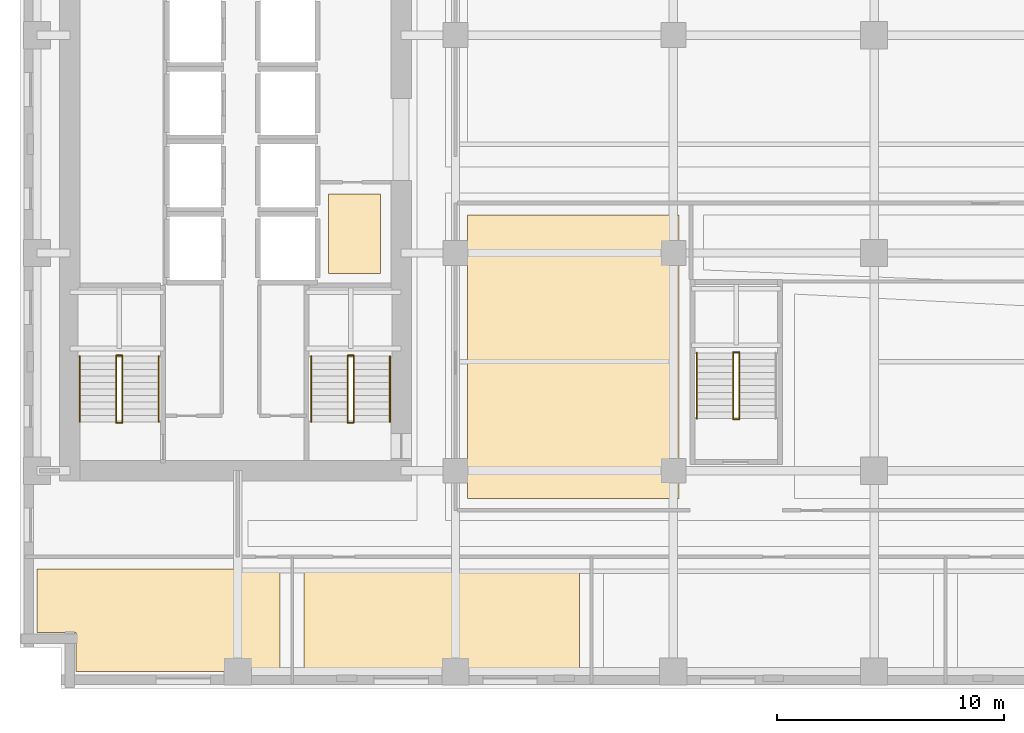
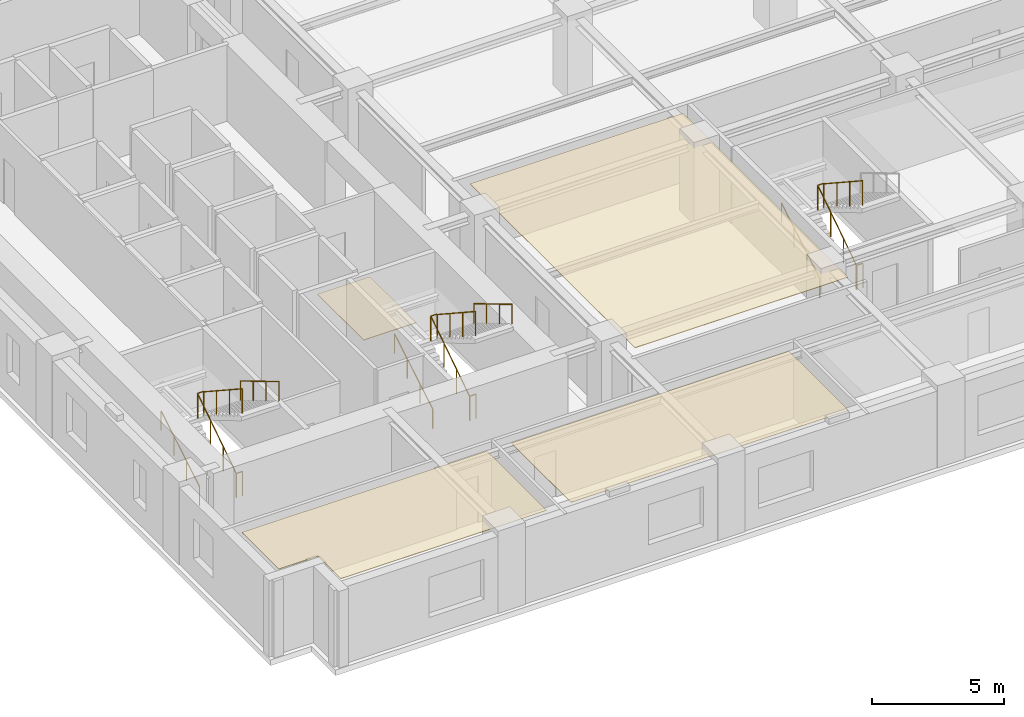
# One storey, part 9 of 13: 17 railings, 4 coverings.
"""IFC4 building model written with IfcOpenShell, lengths in metres."""

from ifc_helpers import new_model, si_unit, direction, frame, origin, origin_2d, place, context, subcontext, project, spatial, polyline, circle, outline, extrude, material, layer, layer_set, type_object, element, save


model = new_model("IFC4")

# Units and contexts
model_context = context("Model", 3, precision=1e-05, world=origin(), true_north=direction((0.0, 1.0)))
body_context = subcontext(model_context, "Body", "Model", "MODEL_VIEW")
ifc_project = project(units=[si_unit("LENGTHUNIT", "METRE"), si_unit("AREAUNIT", "SQUARE_METRE"), si_unit("VOLUMEUNIT", "CUBIC_METRE"), si_unit("PLANEANGLEUNIT", "RADIAN"), si_unit("MASSUNIT", "GRAM", prefix="KILO")], contexts=[model_context])

# Site, building, storey
site_placement = place(None, origin())
site = spatial("IfcSite", under=ifc_project, at=site_placement, CompositionType="ELEMENT")
building_placement = place(site_placement, origin())
building = spatial("IfcBuilding", under=site, at=building_placement, Name="Norrvale University Quadrangle", CompositionType="ELEMENT")
storey_placement = place(building_placement, frame((0.0, 0.0, 43.199951171875)))
storey = spatial("IfcBuildingStorey", under=building, at=storey_placement, Name="L10", CompositionType="ELEMENT", Elevation=43.199951171875)

# Coverings
ifc_material_1 = material(Name="Perforated Acoustic Mineral Ceiling")
ifc_layer_1 = layer(ifc_material_1, 0.02490234375, Name="Perforated Acoustic Mineral Ceiling")
ifc_layer_set_1 = layer_set([ifc_layer_1], Name="Perforated Acoustic Mineral Ceiling")
covering_type_1 = type_object("IfcCoveringType", Name="Covering Acoustic Ceiling 25", PredefinedType="CEILING", material=ifc_layer_set_1)
covering_1_placement = place(storey_placement, frame((0.0, 0.0, 3.51513671875)))
element("IfcCovering", 1, at=covering_1_placement, inside=storey, type_object=covering_type_1, Name="Acoustic Ceiling RM-L10-S01", PredefinedType="CEILING", context=body_context, shape_type="SweptSolid", body=[
    extrude(outline(polyline([(0.75, 5.27001953125), (11.469970703125, 5.27001953125), (11.469970703125, 0.75), (2.469970703125, 0.75), (2.469970703125, 2.469970703125), (0.75, 2.469970703125), (0.75, 5.27001953125)])), origin(), (0.0, 0.0, 1.0), 0.02490234375),
])
covering_2_placement = place(storey_placement, frame((0.0, 0.0, 3.51513671875)))
element("IfcCovering", 2, at=covering_2_placement, inside=storey, type_object=covering_type_1, Name="Acoustic Ceiling RM-L10-S02", PredefinedType="CEILING", context=body_context, shape_type="SweptSolid", body=[
    extrude(outline(polyline([(12.530029296875, 5.27001953125), (24.669921875, 5.27001953125), (24.669921875, 0.75), (12.530029296875, 0.75), (12.530029296875, 5.27001953125)])), origin(), (0.0, 0.0, 1.0), 0.02490234375),
])
covering_3_placement = place(storey_placement, frame((0.0, 0.0, 3.51513671875)))
element("IfcCovering", 3, at=covering_3_placement, inside=storey, type_object=covering_type_1, Name="Acoustic Ceiling RM-L10-IW1", PredefinedType="CEILING", context=body_context, shape_type="SweptSolid", body=[
    extrude(outline(polyline([(19.72998046875, 8.3798828125), (19.72998046875, 20.8701171875), (29.050048828125, 20.8701171875), (29.050048828125, 8.3798828125), (19.72998046875, 8.3798828125)])), origin(), (0.0, 0.0, 1.0), 0.02490234375),
])
ifc_material_2 = material(Name="Polished Terrazzo Flooring")
ifc_layer_2 = layer(ifc_material_2, 0.02490234375, Name="Polished Terrazzo Flooring")
ifc_layer_set_2 = layer_set([ifc_layer_2], Name="Polished Terrazzo Flooring")
covering_type_2 = type_object("IfcCoveringType", Name="Covering Terrazzo Floor 30", PredefinedType="FLOORING", material=ifc_layer_set_2)
covering_4_placement = place(storey_placement, origin())
element("IfcCovering", 4, at=covering_4_placement, inside=storey, type_object=covering_type_2, Name="Terrazzo Flooring RM-L10-JAN", PredefinedType="FLOORING", context=body_context, shape_type="SweptSolid", body=[
    extrude(outline(polyline([(13.60009765625, 18.300048828125), (13.60009765625, 21.800048828125), (15.89990234375, 21.800048828125), (15.89990234375, 18.300048828125), (13.60009765625, 18.300048828125)])), origin(), (0.0, 0.0, 1.0), 0.025146484375),
])

# Railings
ifc_material_3 = material(Name="Steel 350W Painted Balustrade", Category="steel")
railing_type_1 = type_object("IfcRailingType", Name="Railing Stair Guard 1100", PredefinedType="GUARDRAIL", material=ifc_material_3)
for number, where, name in (
    (5, (4.239990234375, 11.719970703125, 0.0), "Stair Floor Well Guard ST-01 L10"),
    (6, (4.239990234375, 14.679931640625, 1.900146484375), "Stair Mid-Landing Slot Guard ST-01 L10"),
):
    element("IfcRailing", number, at=place(storey_placement, frame(where)), inside=storey, type_object=railing_type_1, Name=name, PredefinedType="GUARDRAIL", context=body_context, shape_type="SweptSolid", body=[
        extrude(circle(Radius=0.02392578125, at=origin_2d()), frame((0.0, 0.0, 1.1259765625), z_axis=(1.0, 0.0, 0.0), x_axis=(0.0, 1.0, 0.0)), (0.0, 0.0, 1.0), 0.27001953125),
        extrude(circle(Radius=0.02099609375, at=origin_2d()), origin(), (0.0, 0.0, 1.0), 1.101806640625),
        extrude(circle(Radius=0.02099609375, at=origin_2d()), frame((0.27001953125, 0.0, 0.0)), (0.0, 0.0, 1.0), 1.101806640625),
    ])
railing_1_placement = place(storey_placement, frame((4.239990234375, 11.75, 0.0)))
element("IfcRailing", 7, at=railing_1_placement, inside=storey, type_object=railing_type_1, Name="Stair Lower Flight Inner Guard ST-01 L10", PredefinedType="GUARDRAIL", context=body_context, shape_type="SweptSolid", body=[
    extrude(circle(Radius=0.02392578125, at=origin_2d()), frame((0.0, 0.0, 1.1259765625), z_axis=(0.0, 0.836433300813, 0.548068730445), x_axis=(-1.0, 0.0, 0.0)), (0.0, 0.0, 1.0), 3.467041015625),
    extrude(circle(Radius=0.02099609375, at=origin_2d()), origin(), (0.0, 0.0, 1.0), 1.101806640625),
    extrude(circle(Radius=0.02099609375, at=origin_2d()), frame((0.0, 0.966552734375, 0.63330078125)), (0.0, 0.0, 1.0), 1.101806640625),
    extrude(circle(Radius=0.02099609375, at=origin_2d()), frame((0.0, 1.933349609375, 1.266845703125)), (0.0, 0.0, 1.0), 1.101806640625),
    extrude(circle(Radius=0.02099609375, at=origin_2d()), frame((0.0, 2.89990234375, 1.900146484375)), (0.0, 0.0, 1.0), 1.101806640625),
])
railing_2_placement = place(storey_placement, frame((4.510009765625, 14.64990234375, 1.900146484375)))
element("IfcRailing", 8, at=railing_2_placement, inside=storey, type_object=railing_type_1, Name="Stair Upper Flight Inner Guard ST-01 L10", PredefinedType="GUARDRAIL", context=body_context, shape_type="SweptSolid", body=[
    extrude(circle(Radius=0.02392578125, at=origin_2d()), frame((0.0, 0.0, 1.1259765625), z_axis=(0.0, -0.836465582154, 0.548019461216), x_axis=(1.0, 0.0, 0.0)), (0.0, 0.0, 1.0), 3.466796875),
    extrude(circle(Radius=0.02099609375, at=origin_2d()), origin(), (0.0, 0.0, 1.0), 1.101806640625),
    extrude(circle(Radius=0.02099609375, at=origin_2d()), frame((0.0, -0.966552734375, 0.63330078125)), (0.0, 0.0, 1.0), 1.101806640625),
    extrude(circle(Radius=0.02099609375, at=origin_2d()), frame((0.0, -1.933349609375, 1.2666015625)), (0.0, 0.0, 1.0), 1.101806640625),
    extrude(circle(Radius=0.02099609375, at=origin_2d()), frame((0.0, -2.89990234375, 1.89990234375)), (0.0, 0.0, 1.0), 1.101806640625),
])
for number, where, name in (
    (9, (14.43994140625, 11.719970703125, 0.0), "Stair Floor Well Guard ST-03 L10"),
    (10, (14.43994140625, 14.679931640625, 1.900146484375), "Stair Mid-Landing Slot Guard ST-03 L10"),
):
    element("IfcRailing", number, at=place(storey_placement, frame(where)), inside=storey, type_object=railing_type_1, Name=name, PredefinedType="GUARDRAIL", context=body_context, shape_type="SweptSolid", body=[
        extrude(circle(Radius=0.02392578125, at=origin_2d()), frame((0.0, 0.0, 1.1259765625), z_axis=(1.0, 0.0, 0.0), x_axis=(0.0, 1.0, 0.0)), (0.0, 0.0, 1.0), 0.27001953125),
        extrude(circle(Radius=0.02099609375, at=origin_2d()), origin(), (0.0, 0.0, 1.0), 1.101806640625),
        extrude(circle(Radius=0.02099609375, at=origin_2d()), frame((0.27001953125, 0.0, 0.0)), (0.0, 0.0, 1.0), 1.101806640625),
    ])
railing_3_placement = place(storey_placement, frame((14.43994140625, 11.75, 0.0)))
element("IfcRailing", 11, at=railing_3_placement, inside=storey, type_object=railing_type_1, Name="Stair Lower Flight Inner Guard ST-03 L10", PredefinedType="GUARDRAIL", context=body_context, shape_type="SweptSolid", body=[
    extrude(circle(Radius=0.02392578125, at=origin_2d()), frame((0.0, 0.0, 1.1259765625), z_axis=(0.0, 0.836433300813, 0.548068730445), x_axis=(-1.0, 0.0, 0.0)), (0.0, 0.0, 1.0), 3.467041015625),
    extrude(circle(Radius=0.02099609375, at=origin_2d()), origin(), (0.0, 0.0, 1.0), 1.101806640625),
    extrude(circle(Radius=0.02099609375, at=origin_2d()), frame((0.0, 0.966552734375, 0.63330078125)), (0.0, 0.0, 1.0), 1.101806640625),
    extrude(circle(Radius=0.02099609375, at=origin_2d()), frame((0.0, 1.933349609375, 1.266845703125)), (0.0, 0.0, 1.0), 1.101806640625),
    extrude(circle(Radius=0.02099609375, at=origin_2d()), frame((0.0, 2.89990234375, 1.900146484375)), (0.0, 0.0, 1.0), 1.101806640625),
])
railing_4_placement = place(storey_placement, frame((14.7099609375, 14.64990234375, 1.900146484375)))
element("IfcRailing", 12, at=railing_4_placement, inside=storey, type_object=railing_type_1, Name="Stair Upper Flight Inner Guard ST-03 L10", PredefinedType="GUARDRAIL", context=body_context, shape_type="SweptSolid", body=[
    extrude(circle(Radius=0.02392578125, at=origin_2d()), frame((0.0, 0.0, 1.1259765625), z_axis=(0.0, -0.836465582154, 0.548019461216), x_axis=(1.0, 0.0, 0.0)), (0.0, 0.0, 1.0), 3.466796875),
    extrude(circle(Radius=0.02099609375, at=origin_2d()), origin(), (0.0, 0.0, 1.0), 1.101806640625),
    extrude(circle(Radius=0.02099609375, at=origin_2d()), frame((0.0, -0.966552734375, 0.63330078125)), (0.0, 0.0, 1.0), 1.101806640625),
    extrude(circle(Radius=0.02099609375, at=origin_2d()), frame((0.0, -1.933349609375, 1.2666015625)), (0.0, 0.0, 1.0), 1.101806640625),
    extrude(circle(Radius=0.02099609375, at=origin_2d()), frame((0.0, -2.89990234375, 1.89990234375)), (0.0, 0.0, 1.0), 1.101806640625),
])
for number, where, name in (
    (13, (31.43994140625, 11.8701171875, 0.0), "Stair Floor Well Guard ST-04 L10"),
    (14, (31.43994140625, 14.830078125, 1.900146484375), "Stair Mid-Landing Slot Guard ST-04 L10"),
):
    element("IfcRailing", number, at=place(storey_placement, frame(where)), inside=storey, type_object=railing_type_1, Name=name, PredefinedType="GUARDRAIL", context=body_context, shape_type="SweptSolid", body=[
        extrude(circle(Radius=0.02392578125, at=origin_2d()), frame((0.0, 0.0, 1.1259765625), z_axis=(1.0, 0.0, 0.0), x_axis=(0.0, 1.0, 0.0)), (0.0, 0.0, 1.0), 0.27001953125),
        extrude(circle(Radius=0.02099609375, at=origin_2d()), origin(), (0.0, 0.0, 1.0), 1.101806640625),
        extrude(circle(Radius=0.02099609375, at=origin_2d()), frame((0.27001953125, 0.0, 0.0)), (0.0, 0.0, 1.0), 1.101806640625),
    ])
railing_5_placement = place(storey_placement, frame((31.43994140625, 11.89990234375, 0.0)))
element("IfcRailing", 15, at=railing_5_placement, inside=storey, type_object=railing_type_1, Name="Stair Lower Flight Inner Guard ST-04 L10", PredefinedType="GUARDRAIL", context=body_context, shape_type="SweptSolid", body=[
    extrude(circle(Radius=0.02392578125, at=origin_2d()), frame((0.0, 0.0, 1.1259765625), z_axis=(0.0, 0.836454451266, 0.548036450392), x_axis=(-1.0, 0.0, 0.0)), (0.0, 0.0, 1.0), 3.46728515625),
    extrude(circle(Radius=0.02099609375, at=origin_2d()), origin(), (0.0, 0.0, 1.0), 1.101806640625),
    extrude(circle(Radius=0.02099609375, at=origin_2d()), frame((0.0, 0.966796875, 0.63330078125)), (0.0, 0.0, 1.0), 1.101806640625),
    extrude(circle(Radius=0.02099609375, at=origin_2d()), frame((0.0, 1.933349609375, 1.266845703125)), (0.0, 0.0, 1.0), 1.101806640625),
    extrude(circle(Radius=0.02099609375, at=origin_2d()), frame((0.0, 2.900146484375, 1.900146484375)), (0.0, 0.0, 1.0), 1.101806640625),
])
railing_6_placement = place(storey_placement, frame((31.7099609375, 14.800048828125, 1.900146484375)))
element("IfcRailing", 16, at=railing_6_placement, inside=storey, type_object=railing_type_1, Name="Stair Upper Flight Inner Guard ST-04 L10", PredefinedType="GUARDRAIL", context=body_context, shape_type="SweptSolid", body=[
    extrude(circle(Radius=0.02392578125, at=origin_2d()), frame((0.0, 0.0, 1.1259765625), z_axis=(0.0, -0.836486729621, 0.547987181573), x_axis=(1.0, 0.0, 0.0)), (0.0, 0.0, 1.0), 3.467041015625),
    extrude(circle(Radius=0.02099609375, at=origin_2d()), origin(), (0.0, 0.0, 1.0), 1.101806640625),
    extrude(circle(Radius=0.02099609375, at=origin_2d()), frame((0.0, -0.966796875, 0.63330078125)), (0.0, 0.0, 1.0), 1.101806640625),
    extrude(circle(Radius=0.02099609375, at=origin_2d()), frame((0.0, -1.933349609375, 1.2666015625)), (0.0, 0.0, 1.0), 1.101806640625),
    extrude(circle(Radius=0.02099609375, at=origin_2d()), frame((0.0, -2.900146484375, 1.89990234375)), (0.0, 0.0, 1.0), 1.101806640625),
])
ifc_material_4 = material(Name="Stainless Steel 316L Handrail", Category="steel")
railing_type_2 = type_object("IfcRailingType", Name="Railing Stair Handrail 920", PredefinedType="HANDRAIL", material=ifc_material_4)
railing_7_placement = place(storey_placement, frame((2.639892578125, 11.75, 0.1728515625)))
element("IfcRailing", 17, at=railing_7_placement, inside=storey, type_object=railing_type_2, Name="Stair Lower Flight Handrail ST-01 L10", PredefinedType="HANDRAIL", context=body_context, shape_type="SweptSolid", body=[
    extrude(circle(Radius=0.02392578125, at=origin_2d()), frame((0.0, 0.0, 0.89599609375), z_axis=(0.0, 0.859141464434, 0.511738159696), x_axis=(-1.0, 0.0, 0.0)), (0.0, 0.0, 1.0), 3.375244140625),
    extrude(circle(Radius=0.02099609375, at=origin_2d()), origin(), (0.0, 0.0, 1.0), 0.871826171875),
    extrude(circle(Radius=0.02099609375, at=origin_2d()), frame((0.0, 0.966552734375, 0.57568359375)), (0.0, 0.0, 1.0), 0.871826171875),
    extrude(circle(Radius=0.02099609375, at=origin_2d()), frame((0.0, 1.933349609375, 1.151611328125)), (0.0, 0.0, 1.0), 0.871826171875),
    extrude(circle(Radius=0.02099609375, at=origin_2d()), frame((0.0, 2.89990234375, 1.727294921875)), (0.0, 0.0, 1.0), 0.871826171875),
])
railing_8_placement = place(storey_placement, frame((6.110107421875, 14.64990234375, 2.07275390625)))
element("IfcRailing", 18, at=railing_8_placement, inside=storey, type_object=railing_type_2, Name="Stair Upper Flight Handrail ST-01 L10", PredefinedType="HANDRAIL", context=body_context, shape_type="SweptSolid", body=[
    extrude(circle(Radius=0.02392578125, at=origin_2d()), frame((0.0, 0.0, 0.89599609375), z_axis=(0.0, -0.859141464434, 0.511738159696), x_axis=(1.0, 0.0, 0.0)), (0.0, 0.0, 1.0), 3.375244140625),
    extrude(circle(Radius=0.02099609375, at=origin_2d()), origin(), (0.0, 0.0, 1.0), 0.871826171875),
    extrude(circle(Radius=0.02099609375, at=origin_2d()), frame((0.0, -0.966552734375, 0.57568359375)), (0.0, 0.0, 1.0), 0.871826171875),
    extrude(circle(Radius=0.02099609375, at=origin_2d()), frame((0.0, -1.933349609375, 1.151611328125)), (0.0, 0.0, 1.0), 0.871826171875),
    extrude(circle(Radius=0.02099609375, at=origin_2d()), frame((0.0, -2.89990234375, 1.727294921875)), (0.0, 0.0, 1.0), 0.871826171875),
])
railing_9_placement = place(storey_placement, frame((12.840087890625, 11.75, 0.1728515625)))
element("IfcRailing", 19, at=railing_9_placement, inside=storey, type_object=railing_type_2, Name="Stair Lower Flight Handrail ST-03 L10", PredefinedType="HANDRAIL", context=body_context, shape_type="SweptSolid", body=[
    extrude(circle(Radius=0.02392578125, at=origin_2d()), frame((0.0, 0.0, 0.89599609375), z_axis=(0.0, 0.859141464434, 0.511738159696), x_axis=(-1.0, 0.0, 0.0)), (0.0, 0.0, 1.0), 3.375244140625),
    extrude(circle(Radius=0.02099609375, at=origin_2d()), origin(), (0.0, 0.0, 1.0), 0.871826171875),
    extrude(circle(Radius=0.02099609375, at=origin_2d()), frame((0.0, 0.966552734375, 0.57568359375)), (0.0, 0.0, 1.0), 0.871826171875),
    extrude(circle(Radius=0.02099609375, at=origin_2d()), frame((0.0, 1.933349609375, 1.151611328125)), (0.0, 0.0, 1.0), 0.871826171875),
    extrude(circle(Radius=0.02099609375, at=origin_2d()), frame((0.0, 2.89990234375, 1.727294921875)), (0.0, 0.0, 1.0), 0.871826171875),
])
railing_10_placement = place(storey_placement, frame((16.31005859375, 14.64990234375, 2.07275390625)))
element("IfcRailing", 20, at=railing_10_placement, inside=storey, type_object=railing_type_2, Name="Stair Upper Flight Handrail ST-03 L10", PredefinedType="HANDRAIL", context=body_context, shape_type="SweptSolid", body=[
    extrude(circle(Radius=0.02392578125, at=origin_2d()), frame((0.0, 0.0, 0.89599609375), z_axis=(0.0, -0.859141464434, 0.511738159696), x_axis=(1.0, 0.0, 0.0)), (0.0, 0.0, 1.0), 3.375244140625),
    extrude(circle(Radius=0.02099609375, at=origin_2d()), origin(), (0.0, 0.0, 1.0), 0.871826171875),
    extrude(circle(Radius=0.02099609375, at=origin_2d()), frame((0.0, -0.966552734375, 0.57568359375)), (0.0, 0.0, 1.0), 0.871826171875),
    extrude(circle(Radius=0.02099609375, at=origin_2d()), frame((0.0, -1.933349609375, 1.151611328125)), (0.0, 0.0, 1.0), 0.871826171875),
    extrude(circle(Radius=0.02099609375, at=origin_2d()), frame((0.0, -2.89990234375, 1.727294921875)), (0.0, 0.0, 1.0), 0.871826171875),
])
railing_11_placement = place(storey_placement, frame((29.840087890625, 11.89990234375, 0.1728515625)))
element("IfcRailing", 21, at=railing_11_placement, inside=storey, type_object=railing_type_2, Name="Stair Lower Flight Handrail ST-04 L10", PredefinedType="HANDRAIL", context=body_context, shape_type="SweptSolid", body=[
    extrude(circle(Radius=0.02392578125, at=origin_2d()), frame((0.0, 0.0, 0.89599609375), z_axis=(0.0, 0.859160404282, 0.51170636083), x_axis=(-1.0, 0.0, 0.0)), (0.0, 0.0, 1.0), 3.37548828125),
    extrude(circle(Radius=0.02099609375, at=origin_2d()), origin(), (0.0, 0.0, 1.0), 0.871826171875),
    extrude(circle(Radius=0.02099609375, at=origin_2d()), frame((0.0, 0.966796875, 0.57568359375)), (0.0, 0.0, 1.0), 0.871826171875),
    extrude(circle(Radius=0.02099609375, at=origin_2d()), frame((0.0, 1.933349609375, 1.151611328125)), (0.0, 0.0, 1.0), 0.871826171875),
    extrude(circle(Radius=0.02099609375, at=origin_2d()), frame((0.0, 2.900146484375, 1.727294921875)), (0.0, 0.0, 1.0), 0.871826171875),
])

save(model, "model.ifc")
